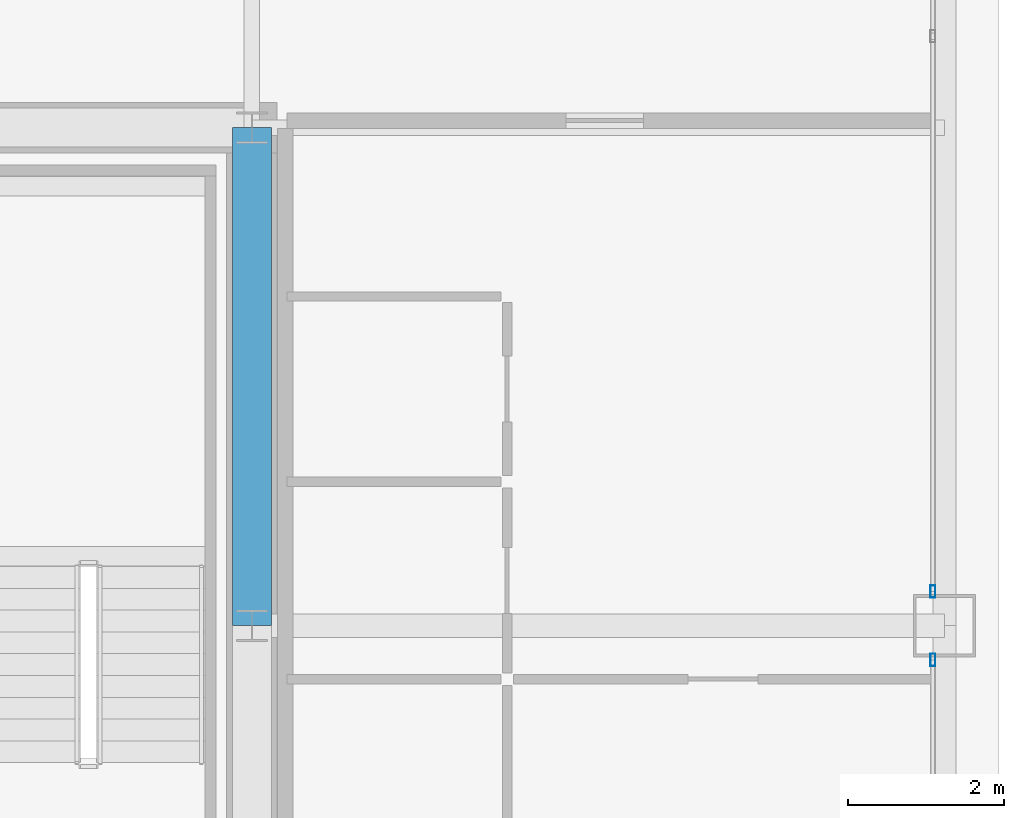
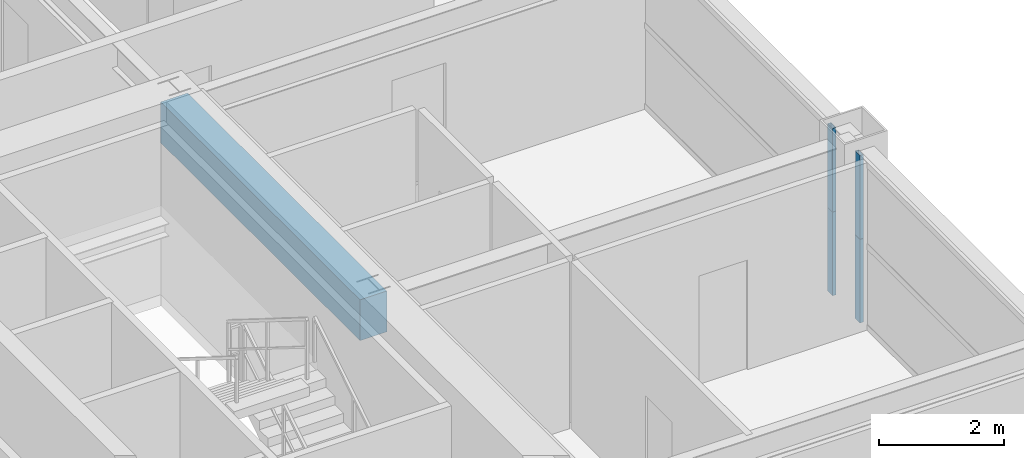
# One storey, part 20 of 38: 4 members, 1 beam, 2 elements without a shape of their own.
"""IFC4 building model written with IfcOpenShell, lengths in metres."""

from ifc_helpers import new_model, si_unit, direction, frame, origin, origin_2d, place, context, subcontext, project, spatial, rectangle, hollow_rectangle, extrude, source, transform, mapped, material, layer, layer_set, material_profile, profile_set, type_object, element, aggregate, save


model = new_model("IFC4")

# Units and contexts
model_context = context("Model", 3, precision=1e-05, world=origin(), true_north=direction((0.0, 1.0)))
body_context = subcontext(model_context, "Body", "Model", "MODEL_VIEW")
ifc_project = project(units=[si_unit("LENGTHUNIT", "METRE"), si_unit("AREAUNIT", "SQUARE_METRE"), si_unit("VOLUMEUNIT", "CUBIC_METRE"), si_unit("PLANEANGLEUNIT", "RADIAN"), si_unit("MASSUNIT", "GRAM", prefix="KILO"), si_unit("THERMODYNAMICTEMPERATUREUNIT", "KELVIN"), si_unit("POWERUNIT", "WATT")], contexts=[model_context])

# Site, building, storey
site_placement = place(None, origin())
site = spatial("IfcSite", under=ifc_project, at=site_placement, CompositionType="ELEMENT")
building_placement = place(site_placement, origin())
building = spatial("IfcBuilding", under=site, at=building_placement, Name="Yuzanri Waterfront Tower", CompositionType="ELEMENT")
storey_placement = place(building_placement, frame((0.0, 0.0, 188.0)))
storey = spatial("IfcBuildingStorey", under=building, at=storey_placement, Name="L49", CompositionType="ELEMENT", Elevation=188.0)

# Beam
ifc_material_1 = material(Name="Concrete C50", Category="concrete")
ifc_material_profile_1 = material_profile(ifc_material_1, rectangle(XDim=0.5, YDim=0.800048828125, at=origin_2d()), Name="RC 500x800")
ifc_profile_set_1 = profile_set([ifc_material_profile_1], Name="Concrete C50")
beam_type = type_object("IfcBeamType", Name="Core Coupling Lintel Concrete C50 500x800", PredefinedType="LINTEL", material=ifc_profile_set_1)
shared_shape_1 = source(origin(), body_context, "Body", "SweptSolid", [
    extrude(rectangle(XDim=0.5, YDim=0.800048828125, at=origin_2d()), origin(), (0.0, 0.0, 1.0), 6.39990234375),
])
beam_placement = place(storey_placement, frame((50.199951171875, 25.800048828125, 2.8798828125), z_axis=(0.0, 1.0, 0.0), x_axis=(-1.0, 0.0, 0.0)))
element("IfcBeam", 1, at=beam_placement, inside=storey, type_object=beam_type, Name="L49 Core Tie Beam CE2", PredefinedType="LINTEL", context=body_context, shape_type="MappedRepresentation", body=[
    mapped(shared_shape_1, transform((0.0, 0.0, 0.0), scale=1.0)),
])

# Curtain wall, members
ifc_material_2 = material(Name="Anodized Architectural Bronze", Category="metal")
ifc_layer = layer(ifc_material_2, 0.159912109375)
ifc_layer_set = layer_set([ifc_layer], Name="Anodized Architectural Bronze")
curtain_wall_type = type_object("IfcCurtainWallType", Name="Anodized Bronze Mid-Rise Residential Acoustic Unitized Curtain Wall 7200", PredefinedType="NOTDEFINED", material=ifc_layer_set)
curtain_wall_1_placement = place(storey_placement, origin())
curtain_wall_1 = element("IfcCurtainWall", 2, at=curtain_wall_1_placement, inside=storey, type_object=curtain_wall_type, Name="L49 Curtain Wall CW-L49-EL", PredefinedType="NOTDEFINED")
ifc_material_3 = material(Name="Anodized Architectural Bronze", Category="metal")
ifc_material_profile_2 = material_profile(ifc_material_3, hollow_rectangle(XDim=0.06494140625, YDim=0.159912109375, WallThickness=0.00341796875, at=origin_2d()), Name="CWM 65x160")
ifc_profile_set_2 = profile_set([ifc_material_profile_2], Name="Anodized Architectural Bronze")
member_type = type_object("IfcMemberType", Name="Anodized Bronze Upper-Zone Curtain-Wall Mullion 65x160", PredefinedType="MULLION", material=ifc_profile_set_2)
shared_shape_2 = source(origin(), body_context, "Body", "SweptSolid", [
    extrude(hollow_rectangle(XDim=0.06494140625, YDim=0.159912109375, WallThickness=0.00341796875, at=origin_2d()), origin(), (0.0, 0.0, 1.0), 1.637939453125),
])
member_1_placement = place(storey_placement, frame((58.949951171875, 25.360107421875, 0.0), z_axis=(0.0, 0.0, 1.0), x_axis=(1.0, 0.0, 0.0)))
member_1 = element("IfcMember", 3, at=member_1_placement, type_object=member_type, Name="CW-L49-EL Lower Mullion 02", PredefinedType="MULLION", context=body_context, shape_type="MappedRepresentation", body=[
    mapped(shared_shape_2, transform((0.0, 0.0, 0.0), scale=1.0)),
])
member_2_placement = place(storey_placement, frame((58.949951171875, 25.360107421875, 1.64208984375), z_axis=(0.0, 0.0, 1.0), x_axis=(1.0, 0.0, 0.0)))
member_2 = element("IfcMember", 4, at=member_2_placement, type_object=member_type, Name="CW-L49-EL Upper Mullion 02", PredefinedType="MULLION", context=body_context, shape_type="MappedRepresentation", body=[
    mapped(shared_shape_2, transform((0.0, 0.0, 0.0), scale=1.0)),
])
aggregate(curtain_wall_1, [member_1, member_2])

curtain_wall_2_placement = place(storey_placement, origin())
curtain_wall_2 = element("IfcCurtainWall", 5, at=curtain_wall_2_placement, inside=storey, type_object=curtain_wall_type, Name="L49 Curtain Wall CW-L49-ER", PredefinedType="NOTDEFINED")
member_3_placement = place(storey_placement, frame((58.949951171875, 26.239990234375, 0.0), z_axis=(0.0, 0.0, 1.0), x_axis=(1.0, 0.0, 0.0)))
member_3 = element("IfcMember", 6, at=member_3_placement, type_object=member_type, Name="CW-L49-ER Lower Mullion 00", PredefinedType="MULLION", context=body_context, shape_type="MappedRepresentation", body=[
    mapped(shared_shape_2, transform((0.0, 0.0, 0.0), scale=1.0)),
])
member_4_placement = place(storey_placement, frame((58.949951171875, 26.239990234375, 1.64208984375), z_axis=(0.0, 0.0, 1.0), x_axis=(1.0, 0.0, 0.0)))
member_4 = element("IfcMember", 7, at=member_4_placement, type_object=member_type, Name="CW-L49-ER Upper Mullion 00", PredefinedType="MULLION", context=body_context, shape_type="MappedRepresentation", body=[
    mapped(shared_shape_2, transform((0.0, 0.0, 0.0), scale=1.0)),
])
aggregate(curtain_wall_2, [member_3, member_4])

save(model, "model.ifc")
